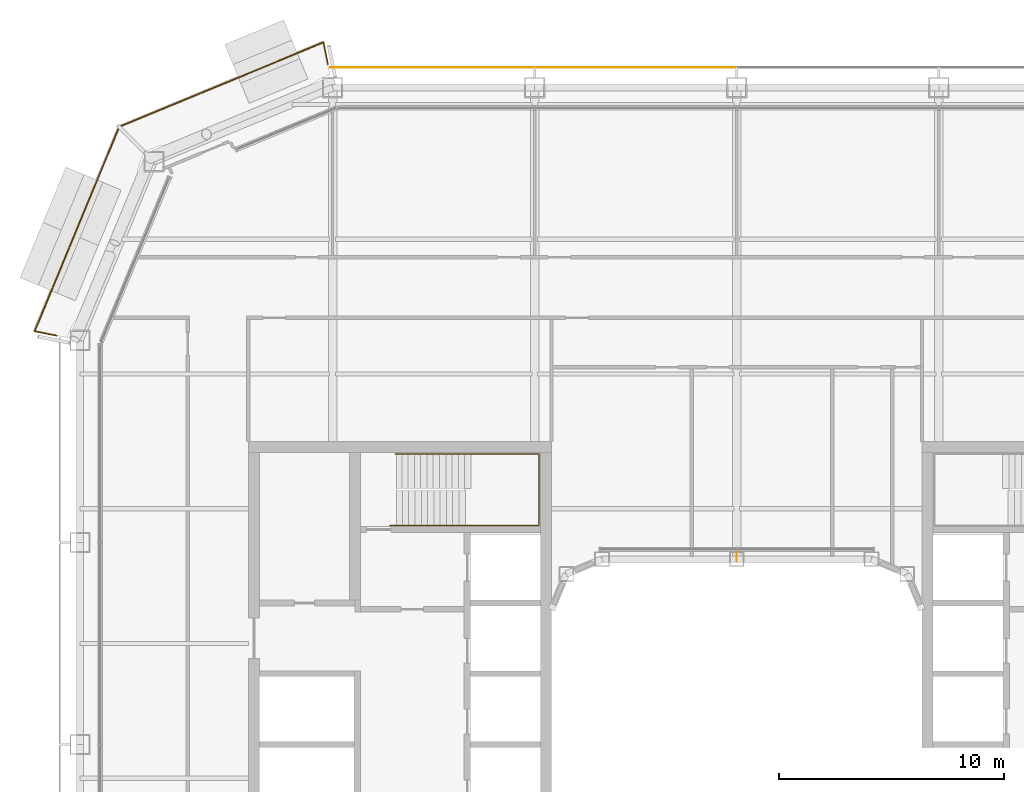
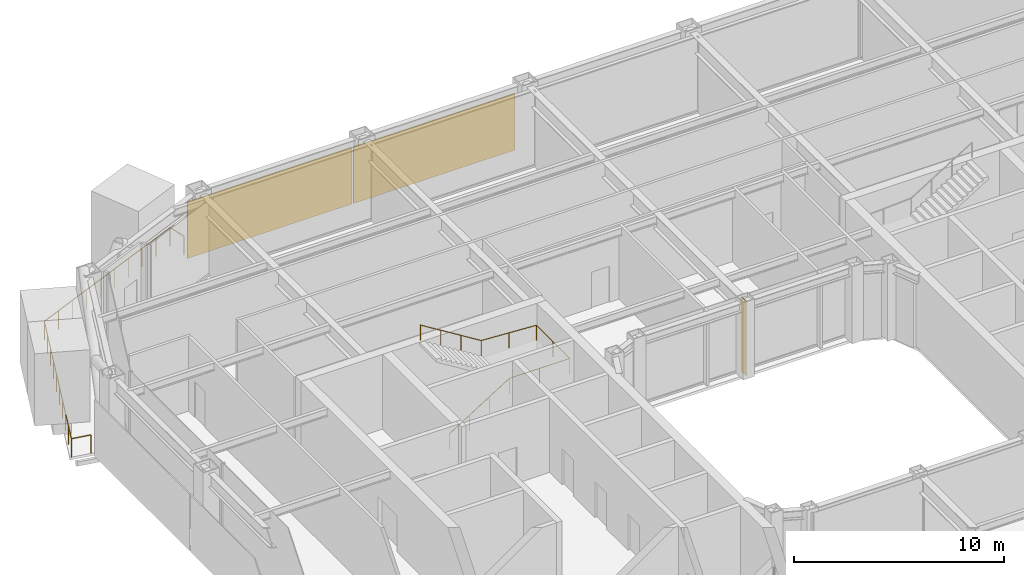
# One storey, part 21 of 23: 2 coverings, 2 railings, 1 shading device.
"""IFC4 building model written with IfcOpenShell, lengths in metres."""

import ifcopenshell
import ifcopenshell.guid

model = None  # the IFC model being written
_history = None  # IfcOwnerHistory: only IFC2X3 demands one
_inside = {}  # id of a spatial element -> (the spatial element, [elements in it])
_under = {}  # id of a project, library or spatial element -> (it, [spatial elements below it])
_declared = {}  # id of a project -> (the project, [libraries it declares])
_typed = {}  # id of a type object -> (the type object, [elements of that type])
_made_of = {}  # id of a material, layer set ... -> (it, [elements and type objects made of it])


def new_model(schema):
    """Start an empty IFC model of exactly this schema.

    Asked for "IFC4X3", IfcOpenShell would pick the latest addendum, in which some entities
    have other attributes; the version numbers below select the first issue.
    IFC2X3 requires an IfcOwnerHistory on every rooted entity: one is made here for all.
    """
    global model, _history
    if schema == "IFC4X3":
        model = ifcopenshell.file(schema_version=(4, 3, 0, 0))
    else:
        model = ifcopenshell.file(schema=schema)
    _inside.clear()
    _under.clear()
    _declared.clear()
    _typed.clear()
    _made_of.clear()
    _history = None
    if model.schema == "IFC2X3":
        org = make("IfcOrganization", Name="unknown")
        user = make(
            "IfcPersonAndOrganization",
            ThePerson=make("IfcPerson", FamilyName="unknown"),
            TheOrganization=org,
        )
        app = make(
            "IfcApplication",
            ApplicationDeveloper=org,
            Version="unknown",
            ApplicationFullName="unknown",
            ApplicationIdentifier="unknown",
        )
        _history = make(
            "IfcOwnerHistory",
            OwningUser=user,
            OwningApplication=app,
            ChangeAction="ADDED",
            CreationDate=0,
        )
    return model


def make(cls, **values):
    """One entity of the class cls with the attributes given. An attribute that is None is left unset."""
    return model.create_entity(
        cls, **{name: value for name, value in values.items() if value is not None}
    )


def rooted(cls, **values):
    """An entity with a GlobalId (a new one), such as an element, a storey or a relation."""
    return make(cls, GlobalId=ifcopenshell.guid.new(), OwnerHistory=_history, **values)


def si_unit(unit_type, name, prefix=None):
    """IfcSIUnit, for example si_unit("LENGTHUNIT", "METRE", prefix="MILLI")."""
    return make("IfcSIUnit", UnitType=unit_type, Prefix=prefix, Name=name)


def assignment(units):
    """IfcUnitAssignment: the units of a project."""
    return None if units is None else make("IfcUnitAssignment", Units=units)


def point(xyz):
    """IfcCartesianPoint."""
    return None if xyz is None else make("IfcCartesianPoint", Coordinates=xyz)


def direction(xyz):
    """IfcDirection."""
    return None if xyz is None else make("IfcDirection", DirectionRatios=xyz)


def frame(location, z_axis=None, x_axis=None):
    """IfcAxis2Placement3D, a coordinate frame: its origin and axes. An axis left out is left unset."""
    return make(
        "IfcAxis2Placement3D",
        Location=point(location),
        Axis=direction(z_axis),
        RefDirection=direction(x_axis),
    )


def frame_2d(location, x_axis=None):
    """IfcAxis2Placement2D, a coordinate frame in the plane: its origin and x axis."""
    return make(
        "IfcAxis2Placement2D", Location=point(location), RefDirection=direction(x_axis)
    )


def origin():
    """The frame at (0, 0, 0) with its axes left unset."""
    return frame((0.0, 0.0, 0.0))


def origin_2d():
    """The frame at (0, 0) in the plane with its x axis left unset."""
    return frame_2d((0.0, 0.0))


def place(relative_to, where):
    """IfcLocalPlacement: puts the frame where relative to a parent placement (None: the world)."""
    return make(
        "IfcLocalPlacement", PlacementRelTo=relative_to, RelativePlacement=where
    )


def context(
    kind, dimensions, precision=None, world=None, true_north=None, identifier=None
):
    """IfcGeometricRepresentationContext, for example the 3D "Model" context."""
    return make(
        "IfcGeometricRepresentationContext",
        ContextIdentifier=identifier,
        ContextType=kind,
        CoordinateSpaceDimension=dimensions,
        Precision=precision,
        WorldCoordinateSystem=world,
        TrueNorth=true_north,
    )


def subcontext(parent, identifier, kind, view, scale=None):
    """IfcGeometricRepresentationSubContext, for example "Body" below "Model"."""
    return make(
        "IfcGeometricRepresentationSubContext",
        ContextIdentifier=identifier,
        ContextType=kind,
        ParentContext=parent,
        TargetScale=scale,
        TargetView=view,
    )


def project(units=None, contexts=None):
    """IfcProject with its units and contexts."""
    return rooted(
        "IfcProject",
        Name="project",
        RepresentationContexts=contexts,
        UnitsInContext=assignment(units),
    )


def spatial(cls, under=None, at=None, **own):
    """A site, building, storey or space (cls), placed at a placement, below another one or the project."""
    s = rooted(cls, ObjectPlacement=at, **own)
    if under is not None:
        _under.setdefault(under.id(), (under, []))[1].append(s)
    return s


def profile(cls, at=None, kind="AREA", **sizes):
    """A parametric profile (cls). Its sizes go by their IFC names, for example OverallWidth=200.0."""
    return make(cls, ProfileType=kind, Position=at, **sizes)


def rectangle(**sizes):
    """IfcRectangleProfileDef."""
    return profile("IfcRectangleProfileDef", **sizes)


def circle(**sizes):
    """IfcCircleProfileDef."""
    return profile("IfcCircleProfileDef", **sizes)


def extrude(swept, where, along, depth):
    """IfcExtrudedAreaSolid: the profile swept, set in the frame where, extruded along a direction by depth."""
    return make(
        "IfcExtrudedAreaSolid",
        SweptArea=swept,
        Position=where,
        ExtrudedDirection=direction(along),
        Depth=depth,
    )


def shape(context_of_items, identifier, shape_type, items):
    """IfcShapeRepresentation: the items that make up one representation, for example the "Body"."""
    return make(
        "IfcShapeRepresentation",
        ContextOfItems=context_of_items,
        RepresentationIdentifier=identifier,
        RepresentationType=shape_type,
        Items=items,
    )


def material(Name=None, Category=None):
    """IfcMaterial."""
    return make("IfcMaterial", Name=Name, Category=Category)


def layer(
    of_material, thickness, ventilated=None, Name=None, Category=None, Priority=None
):
    """IfcMaterialLayer: one layer of a wall or slab, of a material (None: an air gap)."""
    return make(
        "IfcMaterialLayer",
        Material=of_material,
        LayerThickness=thickness,
        IsVentilated=ventilated,
        Name=Name,
        Category=Category,
        Priority=Priority,
    )


def layer_set(layers, Name=None):
    """IfcMaterialLayerSet."""
    return make("IfcMaterialLayerSet", MaterialLayers=layers, LayerSetName=Name)


def made_of(thing, what):
    """Note that an element or type object is made of a material, layer set ...; save() writes the relation."""
    if what is not None:
        _made_of.setdefault(what.id(), (what, []))[1].append(thing)
    return thing


def type_object(cls, material=None, **own):
    """A type object (cls), such as IfcWallType, which elements share."""
    return made_of(rooted(cls, **own), material)


def element(
    cls,
    number,
    at=None,
    inside=None,
    cuts=None,
    type_object=None,
    material=None,
    context=None,
    identifier="Body",
    shape_type=None,
    held_by="IfcProductDefinitionShape",
    body=None,
    shapes=None,
    **own,
):
    """One element of the class cls, such as IfcWall. Its Tag is "e" and its number.

    at: its placement. inside: the storey or other place that contains it. cuts: it is an
    opening in that element (IfcRelVoidsElement). A single representation is given by context,
    identifier, shape_type and body (its items); several are given by shapes. held_by: the class
    of the entity that holds the representations. save() writes the other relations.
    """
    e = rooted(cls, Tag="e%d" % number, ObjectPlacement=at, **own)
    if body is not None:
        shapes = [shape(context, identifier, shape_type, body)]
    if shapes is not None:
        e.Representation = make(held_by, Representations=shapes)
    if inside is not None:
        _inside.setdefault(inside.id(), (inside, []))[1].append(e)
    if cuts is not None:
        rooted(
            "IfcRelVoidsElement", RelatingBuildingElement=cuts, RelatedOpeningElement=e
        )
    if type_object is not None:
        _typed.setdefault(type_object.id(), (type_object, []))[1].append(e)
    return made_of(e, material)


def aggregate(whole, parts):
    """IfcRelAggregates: a whole, such as a stair, and the parts it consists of."""
    return rooted("IfcRelAggregates", RelatingObject=whole, RelatedObjects=parts)


def save(model, path):
    """Write the relations noted so far, then the file.

    IfcRelAggregates (storeys below a building ...), IfcRelContainedInSpatialStructure (elements
    in a storey), IfcRelDefinesByType, IfcRelAssociatesMaterial and IfcRelDeclares: one each for
    every whole, place, type object, material and project.
    """
    for whole, parts in _under.values():
        aggregate(whole, parts)
    for where, things in _inside.values():
        rooted(
            "IfcRelContainedInSpatialStructure",
            RelatedElements=things,
            RelatingStructure=where,
        )
    for kind, things in _typed.values():
        rooted("IfcRelDefinesByType", RelatedObjects=things, RelatingType=kind)
    for what, things in _made_of.values():
        rooted("IfcRelAssociatesMaterial", RelatedObjects=things, RelatingMaterial=what)
    for by, libraries in _declared.values():
        rooted("IfcRelDeclares", RelatingContext=by, RelatedDefinitions=libraries)
    model.write(path)


model = new_model("IFC4")

# Units and contexts
model_context = context("Model", 3, precision=1e-05, world=origin(), true_north=direction((0.0, 1.0)))
body_context = subcontext(model_context, "Body", "Model", "MODEL_VIEW")
ifc_project = project(units=[si_unit("LENGTHUNIT", "METRE"), si_unit("AREAUNIT", "SQUARE_METRE"), si_unit("VOLUMEUNIT", "CUBIC_METRE"), si_unit("PLANEANGLEUNIT", "RADIAN"), si_unit("MASSUNIT", "GRAM", prefix="KILO")], contexts=[model_context])

# Site, building, storey
site_placement = place(None, origin())
site = spatial("IfcSite", under=ifc_project, at=site_placement, CompositionType="ELEMENT")
building_placement = place(site_placement, origin())
building = spatial("IfcBuilding", under=site, at=building_placement, Name="Siwar Civic Tower", CompositionType="ELEMENT")
storey_placement = place(building_placement, frame((0.0, 0.0, 172.199951171875)))
storey = spatial("IfcBuildingStorey", under=building, at=storey_placement, Name="L37", CompositionType="ELEMENT", Elevation=172.199951171875)

# Railing
ifc_material_1 = material(Name="Stainless steel", Category="steel")
railing_type_1 = type_object("IfcRailingType", Name="CORE-STAIR-HANDRAIL", PredefinedType="HANDRAIL", material=ifc_material_1)
railing_1_placement = place(storey_placement, frame((-15.449951171875, 9.758056640625, 0.173095703125)))
element("IfcRailing", 1, at=railing_1_placement, inside=storey, type_object=railing_type_1, Name="Stair handrail ST1", PredefinedType="HANDRAIL", context=body_context, shape_type="SweptSolid", body=[
    extrude(circle(Radius=0.02001953125, at=origin_2d()), frame((0.0, 0.0, 0.8798828125), z_axis=(0.847063342986, 0.0, 0.531491950051), x_axis=(0.0, 1.0, 0.0)), (0.0, 0.0, 1.0), 3.90771484375),
    extrude(circle(Radius=0.02001953125, at=origin_2d()), frame((3.31005859375, 0.0, 2.956787109375), z_axis=(1.0, 0.0, 0.0), x_axis=(0.0, 1.0, 0.0)), (0.0, 0.0, 1.0), 3.331787109375),
    extrude(circle(Radius=0.02001953125, at=origin_2d()), frame((6.641845703125, 0.0, 2.956787109375), z_axis=(0.0, 1.0, 0.0), x_axis=(-1.0, 0.0, 0.0)), (0.0, 0.0, 1.0), 3.183837890625),
    extrude(circle(Radius=0.02001953125, at=origin_2d()), frame((6.641845703125, 3.183837890625, 2.956787109375), z_axis=(-0.99837434197, 0.0, 0.056997134106), x_axis=(0.0, -1.0, 0.0)), (0.0, 0.0, 1.0), 3.036865234375),
    extrude(circle(Radius=0.02001953125, at=origin_2d()), frame((3.60986328125, 3.183837890625, 3.1298828125), z_axis=(-0.850606129759, 0.0, 0.525803396734), x_axis=(0.0, -1.0, 0.0)), (0.0, 0.0, 1.0), 3.949951171875),
    extrude(circle(Radius=0.02001953125, at=origin_2d()), origin(), (0.0, 0.0, 1.0), 0.85986328125),
    extrude(circle(Radius=0.02001953125, at=origin_2d()), frame((1.103271484375, 0.0, 0.6923828125)), (0.0, 0.0, 1.0), 0.85986328125),
    extrude(circle(Radius=0.02001953125, at=origin_2d()), frame((2.206787109375, 0.0, 1.384521484375)), (0.0, 0.0, 1.0), 0.85986328125),
    extrude(circle(Radius=0.02001953125, at=origin_2d()), frame((3.31005859375, 0.0, 2.076904296875)), (0.0, 0.0, 1.0), 0.85986328125),
    extrude(circle(Radius=0.02001953125, at=origin_2d()), frame((4.97607421875, 0.0, 2.076904296875)), (0.0, 0.0, 1.0), 0.85986328125),
    extrude(circle(Radius=0.02001953125, at=origin_2d()), frame((6.641845703125, 0.0, 2.076904296875)), (0.0, 0.0, 1.0), 0.85986328125),
    extrude(circle(Radius=0.02001953125, at=origin_2d()), frame((6.641845703125, 1.591796875, 2.076904296875)), (0.0, 0.0, 1.0), 0.85986328125),
    extrude(circle(Radius=0.02001953125, at=origin_2d()), frame((6.641845703125, 3.183837890625, 2.076904296875)), (0.0, 0.0, 1.0), 0.85986328125),
    extrude(circle(Radius=0.02001953125, at=origin_2d()), frame((5.1259765625, 3.183837890625, 2.16357421875)), (0.0, 0.0, 1.0), 0.85986328125),
    extrude(circle(Radius=0.02001953125, at=origin_2d()), frame((3.60986328125, 3.183837890625, 2.25)), (0.0, 0.0, 1.0), 0.85986328125),
    extrude(circle(Radius=0.02001953125, at=origin_2d()), frame((2.489990234375, 3.183837890625, 2.9423828125)), (0.0, 0.0, 1.0), 0.85986328125),
    extrude(circle(Radius=0.02001953125, at=origin_2d()), frame((1.369873046875, 3.183837890625, 3.634521484375)), (0.0, 0.0, 1.0), 0.85986328125),
    extrude(circle(Radius=0.02001953125, at=origin_2d()), frame((0.25, 3.183837890625, 4.326904296875)), (0.0, 0.0, 1.0), 0.85986328125),
])

# Shading device
ifc_material_2 = material(Name="Aluminium 6063-T6", Category="aluminium")
ifc_layer_1 = layer(ifc_material_2, 0.02001953125)
ifc_layer_set_1 = layer_set([ifc_layer_1], Name="Aluminium 6063-T6")
shading_device_type = type_object("IfcShadingDeviceType", Name="ENV-FIN", PredefinedType="JALOUSIE", material=ifc_layer_set_1)
shading_device_placement = place(storey_placement, frame((0.0, 8.3701171875, 0.0), z_axis=(0.0, 0.0, 1.0), x_axis=(-1.0, 0.0, 0.0)))
element("IfcShadingDevice", 2, at=shading_device_placement, inside=storey, type_object=shading_device_type, Name="SUNSHADE fin WN 1", PredefinedType="JALOUSIE", context=body_context, shape_type="SweptSolid", body=[
    extrude(rectangle(XDim=0.02001953125, YDim=0.449951171875, at=origin_2d()), origin(), (0.0, 0.0, 1.0), 4.35009765625),
])

# Railing
ifc_material_3 = material(Name="Stainless steel 316", Category="steel")
railing_type_2 = type_object("IfcRailingType", Name="ENV-GUARD", PredefinedType="GUARDRAIL", material=ifc_material_3)
railing_2_placement = place(storey_placement, frame((-18.208251953125, 30.297119140625, 0.0)))
element("IfcRailing", 3, at=railing_2_placement, inside=storey, type_object=railing_type_2, Name="Balcony guard NW", PredefinedType="GUARDRAIL", context=body_context, shape_type="SweptSolid", body=[
    extrude(circle(Radius=0.02392578125, at=origin_2d()), frame((0.0, 0.0, 1.076171875), z_axis=(-0.195123592472, 0.980778661911, 0.0), x_axis=(-0.980778661911, -0.195123592472, 0.0)), (0.0, 0.0, 1.0), 0.993408203125),
    extrude(circle(Radius=0.02392578125, at=origin_2d()), frame((-0.19384765625, 0.974365234375, 1.076171875), z_axis=(-0.924056377406, -0.38225621169, 0.0), x_axis=(0.38225621169, -0.924056377406, 0.0)), (0.0, 0.0, 1.0), 9.851806640625),
    extrude(circle(Radius=0.02392578125, at=origin_2d()), frame((-9.29736328125, -2.79150390625, 1.076171875), z_axis=(-0.38225621169, -0.924056377406, 0.0), x_axis=(0.924056377406, -0.38225621169, 0.0)), (0.0, 0.0, 1.0), 9.851806640625),
    extrude(circle(Radius=0.02392578125, at=origin_2d()), frame((-13.063232421875, -11.89501953125, 1.076171875), z_axis=(0.980778661911, -0.195123592472, 0.0), x_axis=(0.195123592472, 0.980778661911, 0.0)), (0.0, 0.0, 1.0), 0.993408203125),
    extrude(circle(Radius=0.02099609375, at=origin_2d()), origin(), (0.0, 0.0, 1.0), 1.052001953125),
    extrude(circle(Radius=0.02099609375, at=origin_2d()), frame((-0.19384765625, 0.974365234375, 0.0)), (0.0, 0.0, 1.0), 1.052001953125),
    extrude(circle(Radius=0.02099609375, at=origin_2d()), frame((-1.205322265625, 0.555908203125, 0.0)), (0.0, 0.0, 1.0), 1.052001953125),
    extrude(circle(Radius=0.02099609375, at=origin_2d()), frame((-2.216796875, 0.137451171875, 0.0)), (0.0, 0.0, 1.0), 1.052001953125),
    extrude(circle(Radius=0.02099609375, at=origin_2d()), frame((-3.228271484375, -0.281005859375, 0.0)), (0.0, 0.0, 1.0), 1.052001953125),
    extrude(circle(Radius=0.02099609375, at=origin_2d()), frame((-4.23974609375, -0.699462890625, 0.0)), (0.0, 0.0, 1.0), 1.052001953125),
    extrude(circle(Radius=0.02099609375, at=origin_2d()), frame((-5.25146484375, -1.11767578125, 0.0)), (0.0, 0.0, 1.0), 1.052001953125),
    extrude(circle(Radius=0.02099609375, at=origin_2d()), frame((-6.262939453125, -1.5361328125, 0.0)), (0.0, 0.0, 1.0), 1.052001953125),
    extrude(circle(Radius=0.02099609375, at=origin_2d()), frame((-7.2744140625, -1.95458984375, 0.0)), (0.0, 0.0, 1.0), 1.052001953125),
    extrude(circle(Radius=0.02099609375, at=origin_2d()), frame((-8.285888671875, -2.373046875, 0.0)), (0.0, 0.0, 1.0), 1.052001953125),
    extrude(circle(Radius=0.02099609375, at=origin_2d()), frame((-9.29736328125, -2.79150390625, 0.0)), (0.0, 0.0, 1.0), 1.052001953125),
    extrude(circle(Radius=0.02099609375, at=origin_2d()), frame((-9.7158203125, -3.802978515625, 0.0)), (0.0, 0.0, 1.0), 1.052001953125),
    extrude(circle(Radius=0.02099609375, at=origin_2d()), frame((-10.13427734375, -4.814453125, 0.0)), (0.0, 0.0, 1.0), 1.052001953125),
    extrude(circle(Radius=0.02099609375, at=origin_2d()), frame((-10.552734375, -5.825927734375, 0.0)), (0.0, 0.0, 1.0), 1.052001953125),
    extrude(circle(Radius=0.02099609375, at=origin_2d()), frame((-10.97119140625, -6.83740234375, 0.0)), (0.0, 0.0, 1.0), 1.052001953125),
    extrude(circle(Radius=0.02099609375, at=origin_2d()), frame((-11.389404296875, -7.84912109375, 0.0)), (0.0, 0.0, 1.0), 1.052001953125),
    extrude(circle(Radius=0.02099609375, at=origin_2d()), frame((-11.807861328125, -8.860595703125, 0.0)), (0.0, 0.0, 1.0), 1.052001953125),
    extrude(circle(Radius=0.02099609375, at=origin_2d()), frame((-12.226318359375, -9.8720703125, 0.0)), (0.0, 0.0, 1.0), 1.052001953125),
    extrude(circle(Radius=0.02099609375, at=origin_2d()), frame((-12.644775390625, -10.883544921875, 0.0)), (0.0, 0.0, 1.0), 1.052001953125),
    extrude(circle(Radius=0.02099609375, at=origin_2d()), frame((-13.063232421875, -11.89501953125, 0.0)), (0.0, 0.0, 1.0), 1.052001953125),
    extrude(circle(Radius=0.02099609375, at=origin_2d()), frame((-12.0888671875, -12.0888671875, 0.0)), (0.0, 0.0, 1.0), 1.052001953125),
])

# Coverings
ifc_material_4 = material(Name="Perforated aluminium cassette, pale metal", Category="aluminium")
ifc_layer_2 = layer(ifc_material_4, 0.0400390625)
ifc_layer_set_2 = layer_set([ifc_layer_2], Name="Perforated aluminium cassette, pale metal")
covering_type = type_object("IfcCoveringType", Name="ENV-OUTER SKIN OS-1", PredefinedType="CLADDING", material=ifc_layer_set_2)
covering_1_placement = place(storey_placement, frame((-4.5, 30.14990234375, -0.14990234375), z_axis=(0.0, 0.0, 1.0), x_axis=(-1.0, 0.0, 0.0)))
element("IfcCovering", 4, at=covering_1_placement, inside=storey, type_object=covering_type, Name="OUTER SKIN OS-1 N 3", PredefinedType="CLADDING", context=body_context, shape_type="SweptSolid", body=[
    extrude(rectangle(XDim=8.89990234375, YDim=0.0400390625, at=origin_2d()), origin(), (0.0, 0.0, 1.0), 3.300048828125),
])
covering_2_placement = place(storey_placement, frame((-13.57958984375, 30.14990234375, -0.14990234375), z_axis=(0.0, 0.0, 1.0), x_axis=(-1.0, 0.0, 0.0)))
element("IfcCovering", 5, at=covering_2_placement, inside=storey, type_object=covering_type, Name="OUTER SKIN OS-1 N 4", PredefinedType="CLADDING", context=body_context, shape_type="SweptSolid", body=[
    extrude(rectangle(XDim=9.05908203125, YDim=0.0400390625, at=origin_2d()), origin(), (0.0, 0.0, 1.0), 3.300048828125),
])

save(model, "model.ifc")
